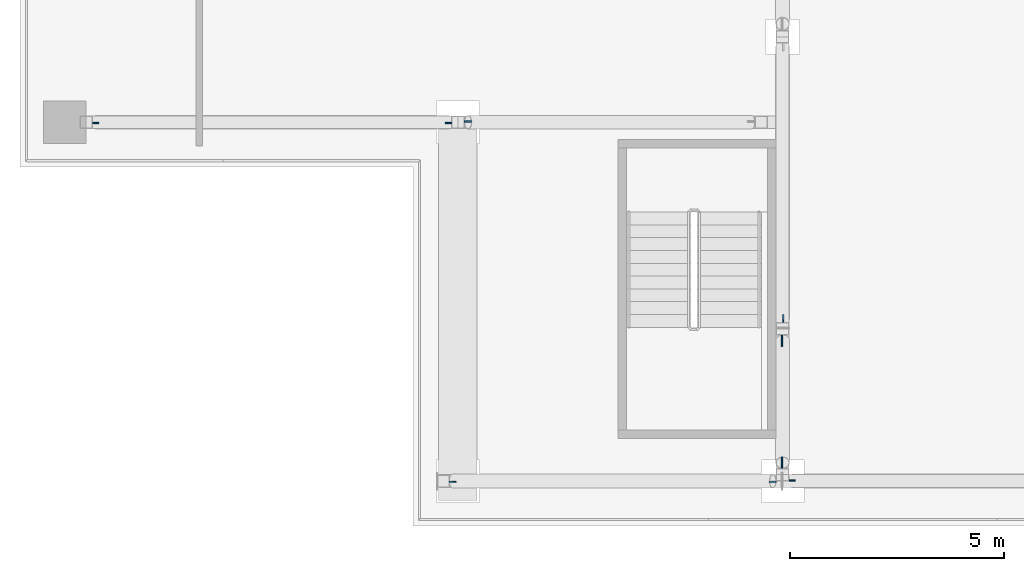
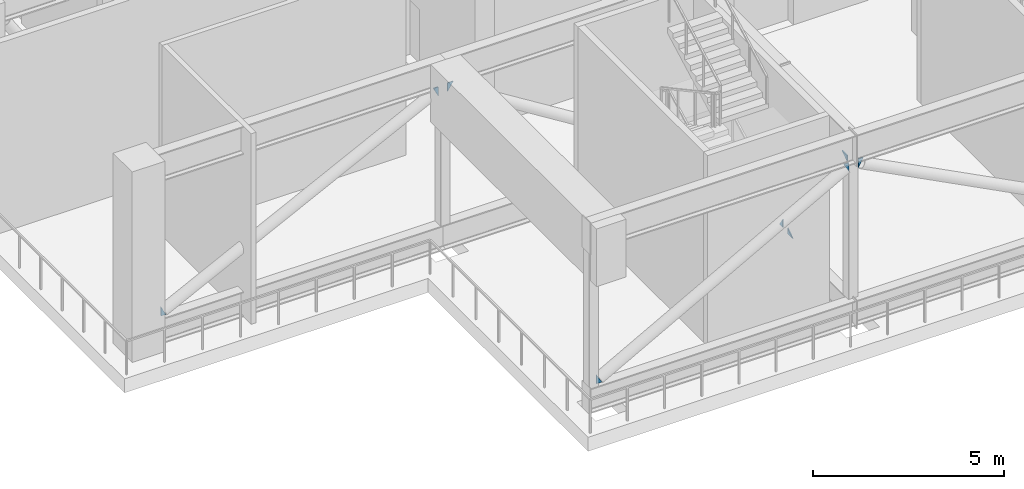
# One storey, part 10 of 24: 9 plates.
"""IFC4 building model written with IfcOpenShell, lengths in metres."""

from ifc_helpers import new_model, si_unit, direction, frame, origin, place, context, subcontext, project, spatial, polyline, outline, extrude, material, layer, layer_set, type_object, element, save


model = new_model("IFC4")

# Units and contexts
model_context = context("Model", 3, precision=1e-05, world=origin(), true_north=direction((0.0, 1.0)))
body_context = subcontext(model_context, "Body", "Model", "MODEL_VIEW")
ifc_project = project(units=[si_unit("LENGTHUNIT", "METRE"), si_unit("AREAUNIT", "SQUARE_METRE"), si_unit("VOLUMEUNIT", "CUBIC_METRE"), si_unit("PLANEANGLEUNIT", "RADIAN"), si_unit("MASSUNIT", "GRAM", prefix="KILO")], contexts=[model_context])

# Site, building, storey
site_placement = place(None, origin())
site = spatial("IfcSite", under=ifc_project, at=site_placement, CompositionType="ELEMENT")
building_placement = place(site_placement, origin())
building = spatial("IfcBuilding", under=site, at=building_placement, Name="Vermilion Ogive Tower", CompositionType="ELEMENT")
storey_placement = place(building_placement, frame((0.0, 0.0, 216.949951171875)))
storey = spatial("IfcBuildingStorey", under=building, at=storey_placement, Name="L57", CompositionType="ELEMENT", Elevation=216.949951171875)

# Plates
ifc_material = material(Name="Steel S355", Category="steel")
ifc_layer = layer(ifc_material, 0.030029296875)
ifc_layer_set = layer_set([ifc_layer], Name="Truss gusset plate 30")
plate_type = type_object("IfcPlateType", Name="Truss gusset plate 30", PredefinedType="USERDEFINED", material=ifc_layer_set)
plate_1_placement = place(storey_placement, frame((-15.85009765625, -12.60009765625, 4.92724609375), z_axis=(0.0, -1.0, 0.0), x_axis=(0.536435426577, 0.0, 0.843941368291)))
element("IfcPlate", 1, at=plate_1_placement, inside=storey, type_object=plate_type, Name="Gusset plate L57-TR-EWW-12.6-D0B", ObjectType="GUSSET PLATE", PredefinedType="USERDEFINED", context=body_context, shape_type="SweptSolid", body=[
    extrude(outline(polyline([(0.0, 0.0), (0.3231327297975814, 2.7755575615628914e-17), (0.23014709677273607, 0.14628866491373557), (0.0, 0.0)])), origin(), (0.0, 0.0, -1.0), 0.030029296875),
])
for number, where, z_axis, x_axis, name in (
    (2, (-16.14990234375, -12.60009765625, 4.912109375), (0.0, 1.0, 0.0), (-0.454751659869, 0.0, 0.890618284029), "Gusset plate L57-TR-EWW-12.6-D1A"),
    (3, (-24.550048828125, -12.60009765625, 1.087890625), (0.0, 1.0, 0.0), (0.454751659869, 0.0, -0.890618284029), "Gusset plate L57-TR-EWW-12.6-D1B"),
):
    element("IfcPlate", number, at=place(storey_placement, frame(where, z_axis=z_axis, x_axis=x_axis)), inside=storey, type_object=plate_type, Name=name, ObjectType="GUSSET PLATE", PredefinedType="USERDEFINED", context=body_context, shape_type="SweptSolid", body=[
        extrude(outline(polyline([(0.0, 0.0), (0.32319322658961996, 0.0), (0.2563571672045981, 0.13089653490853947), (0.0, 0.0)])), origin(), (0.0, 0.0, -1.0), 0.030029296875),
    ])
plate_2_placement = place(storey_placement, frame((-8.39990234375, -17.283203125, 1.069580078125), z_axis=(-1.0, 0.0, 0.0), x_axis=(0.0, 0.551557775955, -0.834136691307)))
element("IfcPlate", 4, at=plate_2_placement, inside=storey, type_object=plate_type, Name="Gusset plate L57-TR-NS-8.4-D1B", ObjectType="GUSSET PLATE", PredefinedType="USERDEFINED", context=body_context, shape_type="SweptSolid", body=[
    extrude(outline(polyline([(0.0, 0.0), (0.3231259969847183, 0.0), (0.22482590507874928, 0.14866205680025996), (0.0, 0.0)])), origin(), (0.0, 0.0, -1.0), 0.030029296875),
])
plate_3_placement = place(storey_placement, frame((-8.39990234375, -17.583251953125, 0.98388671875), z_axis=(1.0, 0.0, 0.0), x_axis=(0.0, -0.82251834483, -0.568738580034)))
element("IfcPlate", 5, at=plate_3_placement, inside=storey, type_object=plate_type, Name="Gusset plate L57-TR-NS-8.4-D2A", ObjectType="GUSSET PLATE", PredefinedType="USERDEFINED", context=body_context, shape_type="SweptSolid", body=[
    extrude(outline(polyline([(0.0, 0.0), (0.3232379463586005, 0.0), (0.1045557008704533, 0.15121003751384282), (0.0, 0.0)])), origin(), (0.0, 0.0, -1.0), 0.030029296875),
])
plate_4_placement = place(storey_placement, frame((-8.39990234375, -20.699951171875, 5.01611328125), z_axis=(1.0, 0.0, 0.0), x_axis=(0.0, 0.822273805958, 0.569092073425)))
element("IfcPlate", 6, at=plate_4_placement, inside=storey, type_object=plate_type, Name="Gusset plate L57-TR-NS-8.4-D2B", ObjectType="GUSSET PLATE", PredefinedType="USERDEFINED", context=body_context, shape_type="SweptSolid", body=[
    extrude(outline(polyline([(0.0, 0.0), (0.32303716605748245, 0.0), (0.10462068634986607, 0.15116508200352494), (0.0, 0.0)])), origin(), (0.0, 0.0, -1.0), 0.030029296875),
])
for number, where, z_axis, x_axis, name in (
    (7, (-16.199951171875, -21.0, 1.081787109375), (0.0, 1.0, 0.0), (0.489615387463, 0.0, -0.871938514093), "Gusset plate L57-TR-BELT-D0A"),
    (8, (-8.550048828125, -21.0, 4.918212890625), (0.0, 1.0, 0.0), (-0.489615387463, 0.0, 0.871938514093), "Gusset plate L57-TR-BELT-D0B"),
):
    element("IfcPlate", number, at=place(storey_placement, frame(where, z_axis=z_axis, x_axis=x_axis)), inside=storey, type_object=plate_type, Name=name, ObjectType="GUSSET PLATE", PredefinedType="USERDEFINED", context=body_context, shape_type="SweptSolid", body=[
        extrude(outline(polyline([(0.0, 0.0), (0.3231171426610939, 0.0), (0.2456584583163365, 0.13794339773742292), (0.0, 0.0)])), origin(), (0.0, 0.0, -1.0), 0.030029296875),
    ])
plate_5_placement = place(storey_placement, frame((-8.25, -21.0, 4.91455078125), z_axis=(0.0, -1.0, 0.0), x_axis=(0.468547314483, 0.0, 0.883438404243)))
element("IfcPlate", 9, at=plate_5_placement, inside=storey, type_object=plate_type, Name="Gusset plate L57-TR-BELT-D1A", ObjectType="GUSSET PLATE", PredefinedType="USERDEFINED", context=body_context, shape_type="SweptSolid", body=[
    extrude(outline(polyline([(0.0, 0.0), (0.32305635486794365, 0.0), (0.25213366566399364, 0.13372358657970576), (0.0, 0.0)])), origin(), (0.0, 0.0, -1.0), 0.030029296875),
])

save(model, "model.ifc")
